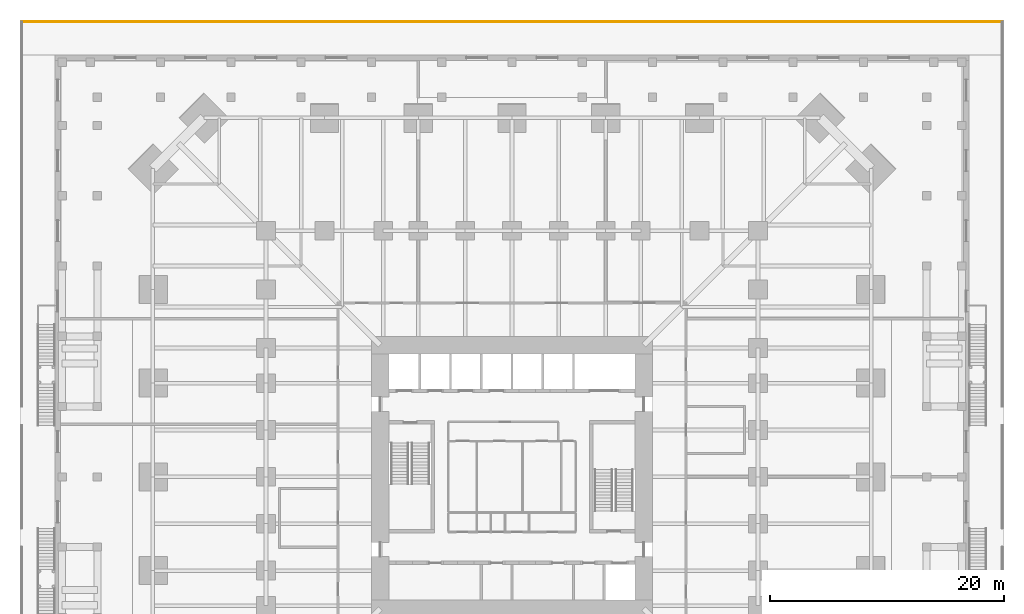
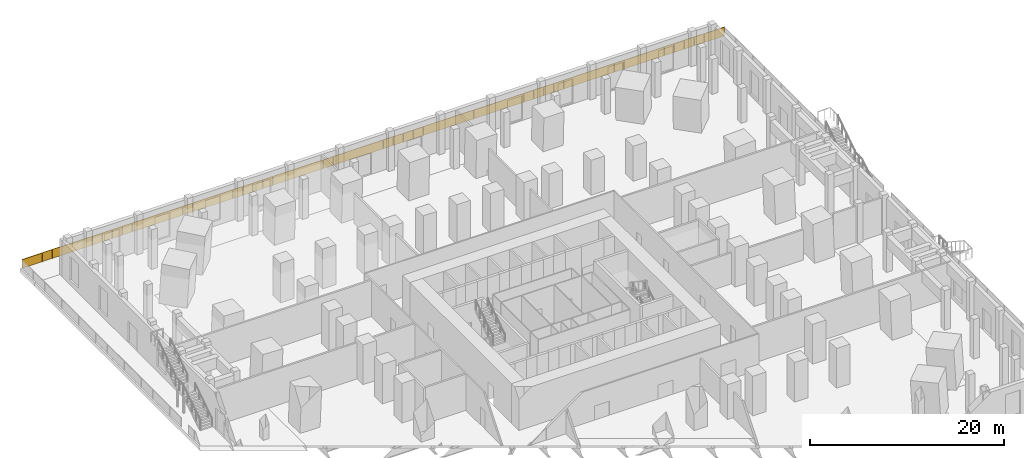
# One storey, part 22 of 22: 1 railing.
"""IFC4 building model written with IfcOpenShell, lengths in metres."""

from ifc_helpers import new_model, si_unit, direction, frame, origin, origin_2d, place, context, subcontext, project, spatial, rectangle, circle, extrude, material, type_object, element, save


model = new_model("IFC4")

# Units and contexts
model_context = context("Model", 3, precision=1e-05, world=origin(), true_north=direction((0.0, 1.0)))
body_context = subcontext(model_context, "Body", "Model", "MODEL_VIEW")
ifc_project = project(units=[si_unit("LENGTHUNIT", "METRE"), si_unit("AREAUNIT", "SQUARE_METRE"), si_unit("VOLUMEUNIT", "CUBIC_METRE"), si_unit("PLANEANGLEUNIT", "RADIAN"), si_unit("MASSUNIT", "GRAM", prefix="KILO")], contexts=[model_context])

# Site, building, storey
site_placement = place(None, origin())
site = spatial("IfcSite", under=ifc_project, at=site_placement, CompositionType="ELEMENT")
building_placement = place(site_placement, origin())
building = spatial("IfcBuilding", under=site, at=building_placement, Name="Peilmerk Tower", CompositionType="ELEMENT")
storey_placement = place(building_placement, frame((0.0, 0.0, 6.0)))
storey = spatial("IfcBuildingStorey", under=building, at=storey_placement, Name="L01", CompositionType="ELEMENT", Elevation=6.0)

# Railing
ifc_material = material(Name="Galvanised steel posts and top rail, laminated glass infill 16", Category="steel")
railing_type = type_object("IfcRailingType", Name="GR2 1200 terrace balustrade", PredefinedType="BALUSTRADE", material=ifc_material)
railing_placement = place(storey_placement, frame((41.85009765625, 38.85009765625, 0.0)))
element("IfcRailing", 1, at=railing_placement, inside=storey, type_object=railing_type, Name="Terrace balustrade L01", PredefinedType="BALUSTRADE", context=body_context, shape_type="SweptSolid", body=[
    extrude(circle(Radius=0.02392578125, at=origin_2d()), frame((0.0, 0.0, 1.17578125), z_axis=(-1.0, 0.0, 0.0), x_axis=(0.0, -1.0, 0.0)), (0.0, 0.0, 1.0), 83.7001953125),
    extrude(circle(Radius=0.02099609375, at=origin_2d()), origin(), (0.0, 0.0, 1.0), 1.15185546875),
    extrude(circle(Radius=0.02099609375, at=origin_2d()), frame((-1.19580078125, 0.0, 0.0)), (0.0, 0.0, 1.0), 1.15185546875),
    extrude(circle(Radius=0.02099609375, at=origin_2d()), frame((-2.391357421875, 0.0, 0.0)), (0.0, 0.0, 1.0), 1.15185546875),
    extrude(circle(Radius=0.02099609375, at=origin_2d()), frame((-3.587158203125, 0.0, 0.0)), (0.0, 0.0, 1.0), 1.15185546875),
    extrude(circle(Radius=0.02099609375, at=origin_2d()), frame((-4.782958984375, 0.0, 0.0)), (0.0, 0.0, 1.0), 1.15185546875),
    extrude(circle(Radius=0.02099609375, at=origin_2d()), frame((-5.978515625, 0.0, 0.0)), (0.0, 0.0, 1.0), 1.15185546875),
    extrude(circle(Radius=0.02099609375, at=origin_2d()), frame((-7.17431640625, 0.0, 0.0)), (0.0, 0.0, 1.0), 1.15185546875),
    extrude(circle(Radius=0.02099609375, at=origin_2d()), frame((-8.3701171875, 0.0, 0.0)), (0.0, 0.0, 1.0), 1.15185546875),
    extrude(circle(Radius=0.02099609375, at=origin_2d()), frame((-9.565673828125, 0.0, 0.0)), (0.0, 0.0, 1.0), 1.15185546875),
    extrude(circle(Radius=0.02099609375, at=origin_2d()), frame((-10.761474609375, 0.0, 0.0)), (0.0, 0.0, 1.0), 1.15185546875),
    extrude(circle(Radius=0.02099609375, at=origin_2d()), frame((-11.957275390625, 0.0, 0.0)), (0.0, 0.0, 1.0), 1.15185546875),
    extrude(circle(Radius=0.02099609375, at=origin_2d()), frame((-13.15283203125, 0.0, 0.0)), (0.0, 0.0, 1.0), 1.15185546875),
    extrude(circle(Radius=0.02099609375, at=origin_2d()), frame((-14.3486328125, 0.0, 0.0)), (0.0, 0.0, 1.0), 1.15185546875),
    extrude(circle(Radius=0.02099609375, at=origin_2d()), frame((-15.54443359375, 0.0, 0.0)), (0.0, 0.0, 1.0), 1.15185546875),
    extrude(circle(Radius=0.02099609375, at=origin_2d()), frame((-16.739990234375, 0.0, 0.0)), (0.0, 0.0, 1.0), 1.15185546875),
    extrude(circle(Radius=0.02099609375, at=origin_2d()), frame((-17.935791015625, 0.0, 0.0)), (0.0, 0.0, 1.0), 1.15185546875),
    extrude(circle(Radius=0.02099609375, at=origin_2d()), frame((-19.131591796875, 0.0, 0.0)), (0.0, 0.0, 1.0), 1.15185546875),
    extrude(circle(Radius=0.02099609375, at=origin_2d()), frame((-20.3271484375, 0.0, 0.0)), (0.0, 0.0, 1.0), 1.15185546875),
    extrude(circle(Radius=0.02099609375, at=origin_2d()), frame((-21.52294921875, 0.0, 0.0)), (0.0, 0.0, 1.0), 1.15185546875),
    extrude(circle(Radius=0.02099609375, at=origin_2d()), frame((-22.718505859375, 0.0, 0.0)), (0.0, 0.0, 1.0), 1.15185546875),
    extrude(circle(Radius=0.02099609375, at=origin_2d()), frame((-23.914306640625, 0.0, 0.0)), (0.0, 0.0, 1.0), 1.15185546875),
    extrude(circle(Radius=0.02099609375, at=origin_2d()), frame((-25.110107421875, 0.0, 0.0)), (0.0, 0.0, 1.0), 1.15185546875),
    extrude(circle(Radius=0.02099609375, at=origin_2d()), frame((-26.3056640625, 0.0, 0.0)), (0.0, 0.0, 1.0), 1.15185546875),
    extrude(circle(Radius=0.02099609375, at=origin_2d()), frame((-27.50146484375, 0.0, 0.0)), (0.0, 0.0, 1.0), 1.15185546875),
    extrude(circle(Radius=0.02099609375, at=origin_2d()), frame((-28.697265625, 0.0, 0.0)), (0.0, 0.0, 1.0), 1.15185546875),
    extrude(circle(Radius=0.02099609375, at=origin_2d()), frame((-29.892822265625, 0.0, 0.0)), (0.0, 0.0, 1.0), 1.15185546875),
    extrude(circle(Radius=0.02099609375, at=origin_2d()), frame((-31.088623046875, 0.0, 0.0)), (0.0, 0.0, 1.0), 1.15185546875),
    extrude(circle(Radius=0.02099609375, at=origin_2d()), frame((-32.284423828125, 0.0, 0.0)), (0.0, 0.0, 1.0), 1.15185546875),
    extrude(circle(Radius=0.02099609375, at=origin_2d()), frame((-33.47998046875, 0.0, 0.0)), (0.0, 0.0, 1.0), 1.15185546875),
    extrude(circle(Radius=0.02099609375, at=origin_2d()), frame((-34.67578125, 0.0, 0.0)), (0.0, 0.0, 1.0), 1.15185546875),
    extrude(circle(Radius=0.02099609375, at=origin_2d()), frame((-35.87158203125, 0.0, 0.0)), (0.0, 0.0, 1.0), 1.15185546875),
    extrude(circle(Radius=0.02099609375, at=origin_2d()), frame((-37.067138671875, 0.0, 0.0)), (0.0, 0.0, 1.0), 1.15185546875),
    extrude(circle(Radius=0.02099609375, at=origin_2d()), frame((-38.262939453125, 0.0, 0.0)), (0.0, 0.0, 1.0), 1.15185546875),
    extrude(circle(Radius=0.02099609375, at=origin_2d()), frame((-39.458740234375, 0.0, 0.0)), (0.0, 0.0, 1.0), 1.15185546875),
    extrude(circle(Radius=0.02099609375, at=origin_2d()), frame((-40.654296875, 0.0, 0.0)), (0.0, 0.0, 1.0), 1.15185546875),
    extrude(circle(Radius=0.02099609375, at=origin_2d()), frame((-41.85009765625, 0.0, 0.0)), (0.0, 0.0, 1.0), 1.15185546875),
    extrude(circle(Radius=0.02099609375, at=origin_2d()), frame((-43.0458984375, 0.0, 0.0)), (0.0, 0.0, 1.0), 1.15185546875),
    extrude(circle(Radius=0.02099609375, at=origin_2d()), frame((-44.241455078125, 0.0, 0.0)), (0.0, 0.0, 1.0), 1.15185546875),
    extrude(circle(Radius=0.02099609375, at=origin_2d()), frame((-45.437255859375, 0.0, 0.0)), (0.0, 0.0, 1.0), 1.15185546875),
    extrude(circle(Radius=0.02099609375, at=origin_2d()), frame((-46.633056640625, 0.0, 0.0)), (0.0, 0.0, 1.0), 1.15185546875),
    extrude(circle(Radius=0.02099609375, at=origin_2d()), frame((-47.82861328125, 0.0, 0.0)), (0.0, 0.0, 1.0), 1.15185546875),
    extrude(circle(Radius=0.02099609375, at=origin_2d()), frame((-49.0244140625, 0.0, 0.0)), (0.0, 0.0, 1.0), 1.15185546875),
    extrude(circle(Radius=0.02099609375, at=origin_2d()), frame((-50.22021484375, 0.0, 0.0)), (0.0, 0.0, 1.0), 1.15185546875),
    extrude(circle(Radius=0.02099609375, at=origin_2d()), frame((-51.415771484375, 0.0, 0.0)), (0.0, 0.0, 1.0), 1.15185546875),
    extrude(circle(Radius=0.02099609375, at=origin_2d()), frame((-52.611572265625, 0.0, 0.0)), (0.0, 0.0, 1.0), 1.15185546875),
    extrude(circle(Radius=0.02099609375, at=origin_2d()), frame((-53.807373046875, 0.0, 0.0)), (0.0, 0.0, 1.0), 1.15185546875),
    extrude(circle(Radius=0.02099609375, at=origin_2d()), frame((-55.0029296875, 0.0, 0.0)), (0.0, 0.0, 1.0), 1.15185546875),
    extrude(circle(Radius=0.02099609375, at=origin_2d()), frame((-56.19873046875, 0.0, 0.0)), (0.0, 0.0, 1.0), 1.15185546875),
    extrude(circle(Radius=0.02099609375, at=origin_2d()), frame((-57.39453125, 0.0, 0.0)), (0.0, 0.0, 1.0), 1.15185546875),
    extrude(circle(Radius=0.02099609375, at=origin_2d()), frame((-58.590087890625, 0.0, 0.0)), (0.0, 0.0, 1.0), 1.15185546875),
    extrude(circle(Radius=0.02099609375, at=origin_2d()), frame((-59.785888671875, 0.0, 0.0)), (0.0, 0.0, 1.0), 1.15185546875),
    extrude(circle(Radius=0.02099609375, at=origin_2d()), frame((-60.981689453125, 0.0, 0.0)), (0.0, 0.0, 1.0), 1.15185546875),
    extrude(circle(Radius=0.02099609375, at=origin_2d()), frame((-62.17724609375, 0.0, 0.0)), (0.0, 0.0, 1.0), 1.15185546875),
    extrude(circle(Radius=0.02099609375, at=origin_2d()), frame((-63.373046875, 0.0, 0.0)), (0.0, 0.0, 1.0), 1.15185546875),
    extrude(circle(Radius=0.02099609375, at=origin_2d()), frame((-64.568603515625, 0.0, 0.0)), (0.0, 0.0, 1.0), 1.15185546875),
    extrude(circle(Radius=0.02099609375, at=origin_2d()), frame((-65.764404296875, 0.0, 0.0)), (0.0, 0.0, 1.0), 1.15185546875),
    extrude(circle(Radius=0.02099609375, at=origin_2d()), frame((-66.960205078125, 0.0, 0.0)), (0.0, 0.0, 1.0), 1.15185546875),
    extrude(circle(Radius=0.02099609375, at=origin_2d()), frame((-68.15576171875, 0.0, 0.0)), (0.0, 0.0, 1.0), 1.15185546875),
    extrude(circle(Radius=0.02099609375, at=origin_2d()), frame((-69.3515625, 0.0, 0.0)), (0.0, 0.0, 1.0), 1.15185546875),
    extrude(circle(Radius=0.02099609375, at=origin_2d()), frame((-70.54736328125, 0.0, 0.0)), (0.0, 0.0, 1.0), 1.15185546875),
    extrude(circle(Radius=0.02099609375, at=origin_2d()), frame((-71.742919921875, 0.0, 0.0)), (0.0, 0.0, 1.0), 1.15185546875),
    extrude(circle(Radius=0.02099609375, at=origin_2d()), frame((-72.938720703125, 0.0, 0.0)), (0.0, 0.0, 1.0), 1.15185546875),
    extrude(circle(Radius=0.02099609375, at=origin_2d()), frame((-74.134521484375, 0.0, 0.0)), (0.0, 0.0, 1.0), 1.15185546875),
    extrude(circle(Radius=0.02099609375, at=origin_2d()), frame((-75.330078125, 0.0, 0.0)), (0.0, 0.0, 1.0), 1.15185546875),
    extrude(circle(Radius=0.02099609375, at=origin_2d()), frame((-76.52587890625, 0.0, 0.0)), (0.0, 0.0, 1.0), 1.15185546875),
    extrude(circle(Radius=0.02099609375, at=origin_2d()), frame((-77.7216796875, 0.0, 0.0)), (0.0, 0.0, 1.0), 1.15185546875),
    extrude(circle(Radius=0.02099609375, at=origin_2d()), frame((-78.917236328125, 0.0, 0.0)), (0.0, 0.0, 1.0), 1.15185546875),
    extrude(circle(Radius=0.02099609375, at=origin_2d()), frame((-80.113037109375, 0.0, 0.0)), (0.0, 0.0, 1.0), 1.15185546875),
    extrude(circle(Radius=0.02099609375, at=origin_2d()), frame((-81.308837890625, 0.0, 0.0)), (0.0, 0.0, 1.0), 1.15185546875),
    extrude(circle(Radius=0.02099609375, at=origin_2d()), frame((-82.50439453125, 0.0, 0.0)), (0.0, 0.0, 1.0), 1.15185546875),
    extrude(circle(Radius=0.02099609375, at=origin_2d()), frame((-83.7001953125, 0.0, 0.0)), (0.0, 0.0, 1.0), 1.15185546875),
    extrude(rectangle(XDim=1.15380859375, YDim=0.01611328125, at=origin_2d()), frame((-0.597900390625, 0.0, 0.050048828125), z_axis=(0.0, 0.0, 1.0), x_axis=(-1.0, 0.0, 0.0)), (0.0, 0.0, 1.0), 1.101806640625),
    extrude(rectangle(XDim=1.15380859375, YDim=0.01611328125, at=origin_2d()), frame((-1.79345703125, 0.0, 0.050048828125), z_axis=(0.0, 0.0, 1.0), x_axis=(-1.0, 0.0, 0.0)), (0.0, 0.0, 1.0), 1.101806640625),
    extrude(rectangle(XDim=1.15380859375, YDim=0.01611328125, at=origin_2d()), frame((-2.9892578125, 0.0, 0.050048828125), z_axis=(0.0, 0.0, 1.0), x_axis=(-1.0, 0.0, 0.0)), (0.0, 0.0, 1.0), 1.101806640625),
    extrude(rectangle(XDim=1.15380859375, YDim=0.01611328125, at=origin_2d()), frame((-4.18505859375, 0.0, 0.050048828125), z_axis=(0.0, 0.0, 1.0), x_axis=(-1.0, 0.0, 0.0)), (0.0, 0.0, 1.0), 1.101806640625),
    extrude(rectangle(XDim=1.15380859375, YDim=0.01611328125, at=origin_2d()), frame((-5.380615234375, 0.0, 0.050048828125), z_axis=(0.0, 0.0, 1.0), x_axis=(-1.0, 0.0, 0.0)), (0.0, 0.0, 1.0), 1.101806640625),
    extrude(rectangle(XDim=1.15380859375, YDim=0.01611328125, at=origin_2d()), frame((-6.576416015625, 0.0, 0.050048828125), z_axis=(0.0, 0.0, 1.0), x_axis=(-1.0, 0.0, 0.0)), (0.0, 0.0, 1.0), 1.101806640625),
    extrude(rectangle(XDim=1.15380859375, YDim=0.01611328125, at=origin_2d()), frame((-7.772216796875, 0.0, 0.050048828125), z_axis=(0.0, 0.0, 1.0), x_axis=(-1.0, 0.0, 0.0)), (0.0, 0.0, 1.0), 1.101806640625),
    extrude(rectangle(XDim=1.15380859375, YDim=0.01611328125, at=origin_2d()), frame((-8.9677734375, 0.0, 0.050048828125), z_axis=(0.0, 0.0, 1.0), x_axis=(-1.0, 0.0, 0.0)), (0.0, 0.0, 1.0), 1.101806640625),
    extrude(rectangle(XDim=1.15380859375, YDim=0.01611328125, at=origin_2d()), frame((-10.16357421875, 0.0, 0.050048828125), z_axis=(0.0, 0.0, 1.0), x_axis=(-1.0, 0.0, 0.0)), (0.0, 0.0, 1.0), 1.101806640625),
    extrude(rectangle(XDim=1.15380859375, YDim=0.01611328125, at=origin_2d()), frame((-11.359375, 0.0, 0.050048828125), z_axis=(0.0, 0.0, 1.0), x_axis=(-1.0, 0.0, 0.0)), (0.0, 0.0, 1.0), 1.101806640625),
    extrude(rectangle(XDim=1.15380859375, YDim=0.01611328125, at=origin_2d()), frame((-12.554931640625, 0.0, 0.050048828125), z_axis=(0.0, 0.0, 1.0), x_axis=(-1.0, 0.0, 0.0)), (0.0, 0.0, 1.0), 1.101806640625),
    extrude(rectangle(XDim=1.15380859375, YDim=0.01611328125, at=origin_2d()), frame((-13.750732421875, 0.0, 0.050048828125), z_axis=(0.0, 0.0, 1.0), x_axis=(-1.0, 0.0, 0.0)), (0.0, 0.0, 1.0), 1.101806640625),
    extrude(rectangle(XDim=1.15380859375, YDim=0.01611328125, at=origin_2d()), frame((-14.946533203125, 0.0, 0.050048828125), z_axis=(0.0, 0.0, 1.0), x_axis=(-1.0, 0.0, 0.0)), (0.0, 0.0, 1.0), 1.101806640625),
    extrude(rectangle(XDim=1.15380859375, YDim=0.01611328125, at=origin_2d()), frame((-16.14208984375, 0.0, 0.050048828125), z_axis=(0.0, 0.0, 1.0), x_axis=(-1.0, 0.0, 0.0)), (0.0, 0.0, 1.0), 1.101806640625),
    extrude(rectangle(XDim=1.15380859375, YDim=0.01611328125, at=origin_2d()), frame((-17.337890625, 0.0, 0.050048828125), z_axis=(0.0, 0.0, 1.0), x_axis=(-1.0, 0.0, 0.0)), (0.0, 0.0, 1.0), 1.101806640625),
    extrude(rectangle(XDim=1.15380859375, YDim=0.01611328125, at=origin_2d()), frame((-18.53369140625, 0.0, 0.050048828125), z_axis=(0.0, 0.0, 1.0), x_axis=(-1.0, 0.0, 0.0)), (0.0, 0.0, 1.0), 1.101806640625),
    extrude(rectangle(XDim=1.15380859375, YDim=0.01611328125, at=origin_2d()), frame((-19.729248046875, 0.0, 0.050048828125), z_axis=(0.0, 0.0, 1.0), x_axis=(-1.0, 0.0, 0.0)), (0.0, 0.0, 1.0), 1.101806640625),
    extrude(rectangle(XDim=1.15380859375, YDim=0.01611328125, at=origin_2d()), frame((-20.925048828125, 0.0, 0.050048828125), z_axis=(0.0, 0.0, 1.0), x_axis=(-1.0, 0.0, 0.0)), (0.0, 0.0, 1.0), 1.101806640625),
    extrude(rectangle(XDim=1.15380859375, YDim=0.01611328125, at=origin_2d()), frame((-22.120849609375, 0.0, 0.050048828125), z_axis=(0.0, 0.0, 1.0), x_axis=(-1.0, 0.0, 0.0)), (0.0, 0.0, 1.0), 1.101806640625),
    extrude(rectangle(XDim=1.15380859375, YDim=0.01611328125, at=origin_2d()), frame((-23.31640625, 0.0, 0.050048828125), z_axis=(0.0, 0.0, 1.0), x_axis=(-1.0, 0.0, 0.0)), (0.0, 0.0, 1.0), 1.101806640625),
    extrude(rectangle(XDim=1.15380859375, YDim=0.01611328125, at=origin_2d()), frame((-24.51220703125, 0.0, 0.050048828125), z_axis=(0.0, 0.0, 1.0), x_axis=(-1.0, 0.0, 0.0)), (0.0, 0.0, 1.0), 1.101806640625),
    extrude(rectangle(XDim=1.15380859375, YDim=0.01611328125, at=origin_2d()), frame((-25.7080078125, 0.0, 0.050048828125), z_axis=(0.0, 0.0, 1.0), x_axis=(-1.0, 0.0, 0.0)), (0.0, 0.0, 1.0), 1.101806640625),
    extrude(rectangle(XDim=1.15380859375, YDim=0.01611328125, at=origin_2d()), frame((-26.903564453125, 0.0, 0.050048828125), z_axis=(0.0, 0.0, 1.0), x_axis=(-1.0, 0.0, 0.0)), (0.0, 0.0, 1.0), 1.101806640625),
    extrude(rectangle(XDim=1.15380859375, YDim=0.01611328125, at=origin_2d()), frame((-28.099365234375, 0.0, 0.050048828125), z_axis=(0.0, 0.0, 1.0), x_axis=(-1.0, 0.0, 0.0)), (0.0, 0.0, 1.0), 1.101806640625),
    extrude(rectangle(XDim=1.15380859375, YDim=0.01611328125, at=origin_2d()), frame((-29.295166015625, 0.0, 0.050048828125), z_axis=(0.0, 0.0, 1.0), x_axis=(-1.0, 0.0, 0.0)), (0.0, 0.0, 1.0), 1.101806640625),
    extrude(rectangle(XDim=1.15380859375, YDim=0.01611328125, at=origin_2d()), frame((-30.49072265625, 0.0, 0.050048828125), z_axis=(0.0, 0.0, 1.0), x_axis=(-1.0, 0.0, 0.0)), (0.0, 0.0, 1.0), 1.101806640625),
    extrude(rectangle(XDim=1.15380859375, YDim=0.01611328125, at=origin_2d()), frame((-31.6865234375, 0.0, 0.050048828125), z_axis=(0.0, 0.0, 1.0), x_axis=(-1.0, 0.0, 0.0)), (0.0, 0.0, 1.0), 1.101806640625),
    extrude(rectangle(XDim=1.15380859375, YDim=0.01611328125, at=origin_2d()), frame((-32.88232421875, 0.0, 0.050048828125), z_axis=(0.0, 0.0, 1.0), x_axis=(-1.0, 0.0, 0.0)), (0.0, 0.0, 1.0), 1.101806640625),
    extrude(rectangle(XDim=1.15380859375, YDim=0.01611328125, at=origin_2d()), frame((-34.077880859375, 0.0, 0.050048828125), z_axis=(0.0, 0.0, 1.0), x_axis=(-1.0, 0.0, 0.0)), (0.0, 0.0, 1.0), 1.101806640625),
    extrude(rectangle(XDim=1.15380859375, YDim=0.01611328125, at=origin_2d()), frame((-35.273681640625, 0.0, 0.050048828125), z_axis=(0.0, 0.0, 1.0), x_axis=(-1.0, 0.0, 0.0)), (0.0, 0.0, 1.0), 1.101806640625),
    extrude(rectangle(XDim=1.15380859375, YDim=0.01611328125, at=origin_2d()), frame((-36.469482421875, 0.0, 0.050048828125), z_axis=(0.0, 0.0, 1.0), x_axis=(-1.0, 0.0, 0.0)), (0.0, 0.0, 1.0), 1.101806640625),
    extrude(rectangle(XDim=1.15380859375, YDim=0.01611328125, at=origin_2d()), frame((-37.6650390625, 0.0, 0.050048828125), z_axis=(0.0, 0.0, 1.0), x_axis=(-1.0, 0.0, 0.0)), (0.0, 0.0, 1.0), 1.101806640625),
    extrude(rectangle(XDim=1.15380859375, YDim=0.01611328125, at=origin_2d()), frame((-38.86083984375, 0.0, 0.050048828125), z_axis=(0.0, 0.0, 1.0), x_axis=(-1.0, 0.0, 0.0)), (0.0, 0.0, 1.0), 1.101806640625),
    extrude(rectangle(XDim=1.15380859375, YDim=0.01611328125, at=origin_2d()), frame((-40.056640625, 0.0, 0.050048828125), z_axis=(0.0, 0.0, 1.0), x_axis=(-1.0, 0.0, 0.0)), (0.0, 0.0, 1.0), 1.101806640625),
    extrude(rectangle(XDim=1.15380859375, YDim=0.01611328125, at=origin_2d()), frame((-41.252197265625, 0.0, 0.050048828125), z_axis=(0.0, 0.0, 1.0), x_axis=(-1.0, 0.0, 0.0)), (0.0, 0.0, 1.0), 1.101806640625),
    extrude(rectangle(XDim=1.15380859375, YDim=0.01611328125, at=origin_2d()), frame((-42.447998046875, 0.0, 0.050048828125), z_axis=(0.0, 0.0, 1.0), x_axis=(-1.0, 0.0, 0.0)), (0.0, 0.0, 1.0), 1.101806640625),
    extrude(rectangle(XDim=1.15380859375, YDim=0.01611328125, at=origin_2d()), frame((-43.6435546875, 0.0, 0.050048828125), z_axis=(0.0, 0.0, 1.0), x_axis=(-1.0, 0.0, 0.0)), (0.0, 0.0, 1.0), 1.101806640625),
    extrude(rectangle(XDim=1.15380859375, YDim=0.01611328125, at=origin_2d()), frame((-44.83935546875, 0.0, 0.050048828125), z_axis=(0.0, 0.0, 1.0), x_axis=(-1.0, 0.0, 0.0)), (0.0, 0.0, 1.0), 1.101806640625),
    extrude(rectangle(XDim=1.15380859375, YDim=0.01611328125, at=origin_2d()), frame((-46.03515625, 0.0, 0.050048828125), z_axis=(0.0, 0.0, 1.0), x_axis=(-1.0, 0.0, 0.0)), (0.0, 0.0, 1.0), 1.101806640625),
    extrude(rectangle(XDim=1.15380859375, YDim=0.01611328125, at=origin_2d()), frame((-47.230712890625, 0.0, 0.050048828125), z_axis=(0.0, 0.0, 1.0), x_axis=(-1.0, 0.0, 0.0)), (0.0, 0.0, 1.0), 1.101806640625),
    extrude(rectangle(XDim=1.15380859375, YDim=0.01611328125, at=origin_2d()), frame((-48.426513671875, 0.0, 0.050048828125), z_axis=(0.0, 0.0, 1.0), x_axis=(-1.0, 0.0, 0.0)), (0.0, 0.0, 1.0), 1.101806640625),
    extrude(rectangle(XDim=1.15380859375, YDim=0.01611328125, at=origin_2d()), frame((-49.622314453125, 0.0, 0.050048828125), z_axis=(0.0, 0.0, 1.0), x_axis=(-1.0, 0.0, 0.0)), (0.0, 0.0, 1.0), 1.101806640625),
    extrude(rectangle(XDim=1.15380859375, YDim=0.01611328125, at=origin_2d()), frame((-50.81787109375, 0.0, 0.050048828125), z_axis=(0.0, 0.0, 1.0), x_axis=(-1.0, 0.0, 0.0)), (0.0, 0.0, 1.0), 1.101806640625),
    extrude(rectangle(XDim=1.15380859375, YDim=0.01611328125, at=origin_2d()), frame((-52.013671875, 0.0, 0.050048828125), z_axis=(0.0, 0.0, 1.0), x_axis=(-1.0, 0.0, 0.0)), (0.0, 0.0, 1.0), 1.101806640625),
    extrude(rectangle(XDim=1.15380859375, YDim=0.01611328125, at=origin_2d()), frame((-53.20947265625, 0.0, 0.050048828125), z_axis=(0.0, 0.0, 1.0), x_axis=(-1.0, 0.0, 0.0)), (0.0, 0.0, 1.0), 1.101806640625),
    extrude(rectangle(XDim=1.15380859375, YDim=0.01611328125, at=origin_2d()), frame((-54.405029296875, 0.0, 0.050048828125), z_axis=(0.0, 0.0, 1.0), x_axis=(-1.0, 0.0, 0.0)), (0.0, 0.0, 1.0), 1.101806640625),
    extrude(rectangle(XDim=1.15380859375, YDim=0.01611328125, at=origin_2d()), frame((-55.600830078125, 0.0, 0.050048828125), z_axis=(0.0, 0.0, 1.0), x_axis=(-1.0, 0.0, 0.0)), (0.0, 0.0, 1.0), 1.101806640625),
    extrude(rectangle(XDim=1.15380859375, YDim=0.01611328125, at=origin_2d()), frame((-56.796630859375, 0.0, 0.050048828125), z_axis=(0.0, 0.0, 1.0), x_axis=(-1.0, 0.0, 0.0)), (0.0, 0.0, 1.0), 1.101806640625),
    extrude(rectangle(XDim=1.15380859375, YDim=0.01611328125, at=origin_2d()), frame((-57.9921875, 0.0, 0.050048828125), z_axis=(0.0, 0.0, 1.0), x_axis=(-1.0, 0.0, 0.0)), (0.0, 0.0, 1.0), 1.101806640625),
    extrude(rectangle(XDim=1.15380859375, YDim=0.01611328125, at=origin_2d()), frame((-59.18798828125, 0.0, 0.050048828125), z_axis=(0.0, 0.0, 1.0), x_axis=(-1.0, 0.0, 0.0)), (0.0, 0.0, 1.0), 1.101806640625),
    extrude(rectangle(XDim=1.15380859375, YDim=0.01611328125, at=origin_2d()), frame((-60.3837890625, 0.0, 0.050048828125), z_axis=(0.0, 0.0, 1.0), x_axis=(-1.0, 0.0, 0.0)), (0.0, 0.0, 1.0), 1.101806640625),
    extrude(rectangle(XDim=1.15380859375, YDim=0.01611328125, at=origin_2d()), frame((-61.579345703125, 0.0, 0.050048828125), z_axis=(0.0, 0.0, 1.0), x_axis=(-1.0, 0.0, 0.0)), (0.0, 0.0, 1.0), 1.101806640625),
    extrude(rectangle(XDim=1.15380859375, YDim=0.01611328125, at=origin_2d()), frame((-62.775146484375, 0.0, 0.050048828125), z_axis=(0.0, 0.0, 1.0), x_axis=(-1.0, 0.0, 0.0)), (0.0, 0.0, 1.0), 1.101806640625),
    extrude(rectangle(XDim=1.15380859375, YDim=0.01611328125, at=origin_2d()), frame((-63.970947265625, 0.0, 0.050048828125), z_axis=(0.0, 0.0, 1.0), x_axis=(-1.0, 0.0, 0.0)), (0.0, 0.0, 1.0), 1.101806640625),
    extrude(rectangle(XDim=1.15380859375, YDim=0.01611328125, at=origin_2d()), frame((-65.16650390625, 0.0, 0.050048828125), z_axis=(0.0, 0.0, 1.0), x_axis=(-1.0, 0.0, 0.0)), (0.0, 0.0, 1.0), 1.101806640625),
    extrude(rectangle(XDim=1.15380859375, YDim=0.01611328125, at=origin_2d()), frame((-66.3623046875, 0.0, 0.050048828125), z_axis=(0.0, 0.0, 1.0), x_axis=(-1.0, 0.0, 0.0)), (0.0, 0.0, 1.0), 1.101806640625),
    extrude(rectangle(XDim=1.15380859375, YDim=0.01611328125, at=origin_2d()), frame((-67.55810546875, 0.0, 0.050048828125), z_axis=(0.0, 0.0, 1.0), x_axis=(-1.0, 0.0, 0.0)), (0.0, 0.0, 1.0), 1.101806640625),
    extrude(rectangle(XDim=1.15380859375, YDim=0.01611328125, at=origin_2d()), frame((-68.753662109375, 0.0, 0.050048828125), z_axis=(0.0, 0.0, 1.0), x_axis=(-1.0, 0.0, 0.0)), (0.0, 0.0, 1.0), 1.101806640625),
    extrude(rectangle(XDim=1.15380859375, YDim=0.01611328125, at=origin_2d()), frame((-69.949462890625, 0.0, 0.050048828125), z_axis=(0.0, 0.0, 1.0), x_axis=(-1.0, 0.0, 0.0)), (0.0, 0.0, 1.0), 1.101806640625),
    extrude(rectangle(XDim=1.15380859375, YDim=0.01611328125, at=origin_2d()), frame((-71.145263671875, 0.0, 0.050048828125), z_axis=(0.0, 0.0, 1.0), x_axis=(-1.0, 0.0, 0.0)), (0.0, 0.0, 1.0), 1.101806640625),
    extrude(rectangle(XDim=1.15380859375, YDim=0.01611328125, at=origin_2d()), frame((-72.3408203125, 0.0, 0.050048828125), z_axis=(0.0, 0.0, 1.0), x_axis=(-1.0, 0.0, 0.0)), (0.0, 0.0, 1.0), 1.101806640625),
    extrude(rectangle(XDim=1.15380859375, YDim=0.01611328125, at=origin_2d()), frame((-73.53662109375, 0.0, 0.050048828125), z_axis=(0.0, 0.0, 1.0), x_axis=(-1.0, 0.0, 0.0)), (0.0, 0.0, 1.0), 1.101806640625),
    extrude(rectangle(XDim=1.15380859375, YDim=0.01611328125, at=origin_2d()), frame((-74.732421875, 0.0, 0.050048828125), z_axis=(0.0, 0.0, 1.0), x_axis=(-1.0, 0.0, 0.0)), (0.0, 0.0, 1.0), 1.101806640625),
    extrude(rectangle(XDim=1.15380859375, YDim=0.01611328125, at=origin_2d()), frame((-75.927978515625, 0.0, 0.050048828125), z_axis=(0.0, 0.0, 1.0), x_axis=(-1.0, 0.0, 0.0)), (0.0, 0.0, 1.0), 1.101806640625),
    extrude(rectangle(XDim=1.15380859375, YDim=0.01611328125, at=origin_2d()), frame((-77.123779296875, 0.0, 0.050048828125), z_axis=(0.0, 0.0, 1.0), x_axis=(-1.0, 0.0, 0.0)), (0.0, 0.0, 1.0), 1.101806640625),
    extrude(rectangle(XDim=1.15380859375, YDim=0.01611328125, at=origin_2d()), frame((-78.319580078125, 0.0, 0.050048828125), z_axis=(0.0, 0.0, 1.0), x_axis=(-1.0, 0.0, 0.0)), (0.0, 0.0, 1.0), 1.101806640625),
    extrude(rectangle(XDim=1.15380859375, YDim=0.01611328125, at=origin_2d()), frame((-79.51513671875, 0.0, 0.050048828125), z_axis=(0.0, 0.0, 1.0), x_axis=(-1.0, 0.0, 0.0)), (0.0, 0.0, 1.0), 1.101806640625),
    extrude(rectangle(XDim=1.15380859375, YDim=0.01611328125, at=origin_2d()), frame((-80.7109375, 0.0, 0.050048828125), z_axis=(0.0, 0.0, 1.0), x_axis=(-1.0, 0.0, 0.0)), (0.0, 0.0, 1.0), 1.101806640625),
    extrude(rectangle(XDim=1.15380859375, YDim=0.01611328125, at=origin_2d()), frame((-81.90673828125, 0.0, 0.050048828125), z_axis=(0.0, 0.0, 1.0), x_axis=(-1.0, 0.0, 0.0)), (0.0, 0.0, 1.0), 1.101806640625),
    extrude(rectangle(XDim=1.15380859375, YDim=0.01611328125, at=origin_2d()), frame((-83.102294921875, 0.0, 0.050048828125), z_axis=(0.0, 0.0, 1.0), x_axis=(-1.0, 0.0, 0.0)), (0.0, 0.0, 1.0), 1.101806640625),
])

save(model, "model.ifc")
